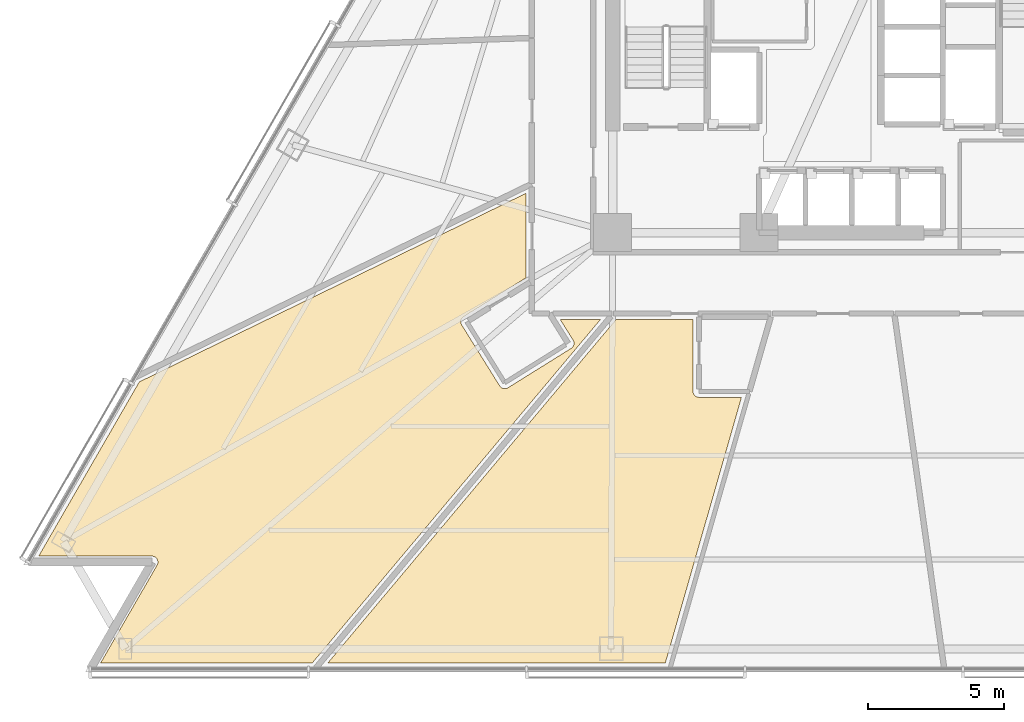
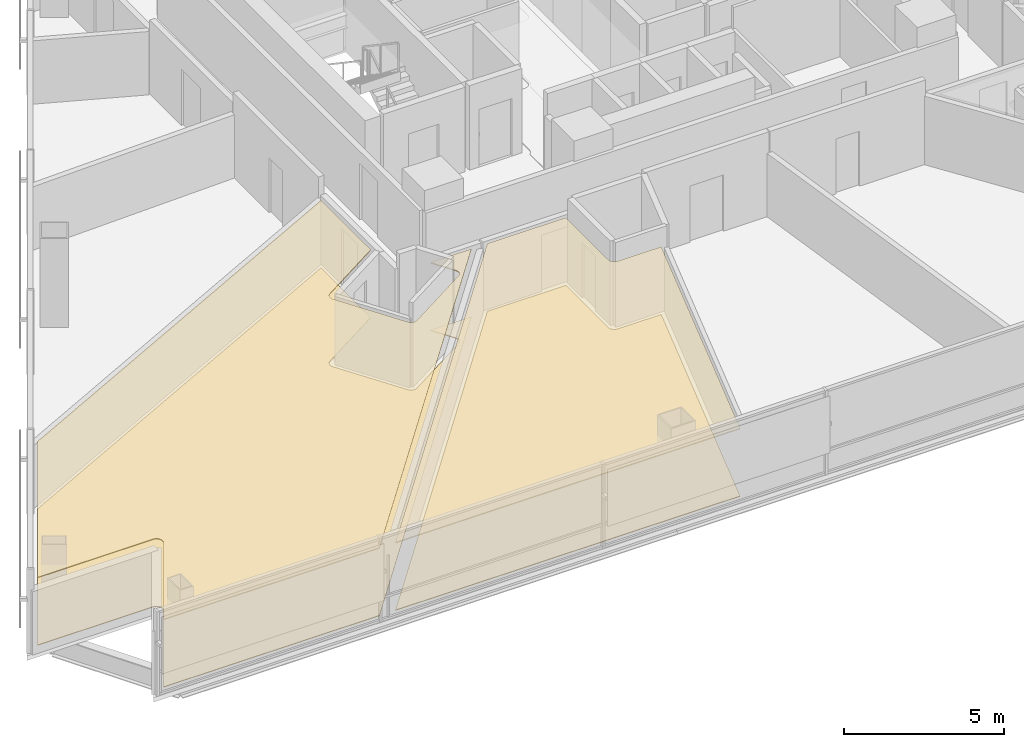
# One storey, part 14 of 17: 4 coverings.
"""IFC4 building model written with IfcOpenShell, lengths in metres."""

from ifc_helpers import new_model, si_unit, direction, frame, origin, place, context, subcontext, project, spatial, polyline, outline, extrude, material, layer, layer_set, type_object, element, save


model = new_model("IFC4")

# Units and contexts
model_context = context("Model", 3, precision=1e-05, world=origin(), true_north=direction((0.0, 1.0)))
body_context = subcontext(model_context, "Body", "Model", "MODEL_VIEW")
ifc_project = project(units=[si_unit("LENGTHUNIT", "METRE"), si_unit("AREAUNIT", "SQUARE_METRE"), si_unit("VOLUMEUNIT", "CUBIC_METRE"), si_unit("PLANEANGLEUNIT", "RADIAN"), si_unit("MASSUNIT", "GRAM", prefix="KILO")], contexts=[model_context])

# Site, building, storey
site_placement = place(None, origin())
site = spatial("IfcSite", under=ifc_project, at=site_placement, CompositionType="ELEMENT")
building_placement = place(site_placement, origin())
building = spatial("IfcBuilding", under=site, at=building_placement, Name="Tharavind Bronze Gate", CompositionType="ELEMENT")
storey_placement = place(building_placement, frame((0.0, 0.0, 35.25)))
storey = spatial("IfcBuildingStorey", under=building, at=storey_placement, Name="L07", CompositionType="ELEMENT", Elevation=35.25)

# Coverings
ifc_material_1 = material(Name="Engineered Oak & Carpet Tile", Category="wood")
ifc_layer_1 = layer(ifc_material_1, 0.02490234375)
ifc_layer_set_1 = layer_set([ifc_layer_1], Name="Engineered Oak & Carpet Tile")
covering_type_1 = type_object("IfcCoveringType", Name="ENGINEERED TIMBER FLOORING", PredefinedType="FLOORING", material=ifc_layer_set_1)
covering_1_placement = place(storey_placement, origin())
element("IfcCovering", 1, at=covering_1_placement, inside=storey, type_object=covering_type_1, Name="L07-RM-09 floor finish", PredefinedType="FLOORING", context=body_context, shape_type="SweptSolid", body=[
    extrude(outline(polyline([(-25.896484375, -19.531005859375), (-25.885498046875, -19.53125), (-25.885009765625, -19.53125), (-25.863037109375, -19.533447265625), (-25.841552734375, -19.53759765625), (-25.820556640625, -19.544189453125), (-25.80029296875, -19.552734375), (-25.781005859375, -19.563232421875), (-25.762939453125, -19.57568359375), (-25.74609375, -19.589599609375), (-25.73095703125, -19.60546875), (-25.71728515625, -19.62255859375), (-25.705322265625, -19.640869140625), (-25.6953125, -19.660400390625), (-25.687255859375, -19.680908203125), (-25.681396484375, -19.701904296875), (-25.677490234375, -19.7236328125), (-25.67578125, -19.745361328125), (-25.676513671875, -19.767333984375), (-25.67919921875, -19.7890625), (-25.68408203125, -19.810546875), (-25.691162109375, -19.831298828125), (-25.7001953125, -19.851318359375), (-25.7001953125, -19.851806640625), (-25.70556640625, -19.861328125), (-27.794677734375, -23.47998046875), (-19.9892578125, -23.47998046875), (-9.349609375, -10.800048828125), (-10.8369140625, -10.800048828125), (-10.361572265625, -11.562255859375), (-10.35107421875, -11.5810546875), (-10.342529296875, -11.600830078125), (-10.3359375, -11.62158203125), (-10.331298828125, -11.642578125), (-10.328857421875, -11.6640625), (-10.328369140625, -11.685546875), (-10.330078125, -11.70703125), (-10.333984375, -11.728515625), (-10.33984375, -11.749267578125), (-10.347900390625, -11.769287109375), (-10.357666015625, -11.78857421875), (-10.369384765625, -11.806640625), (-10.3828125, -11.823486328125), (-10.397705078125, -11.839111328125), (-10.414306640625, -11.85302734375), (-10.431884765625, -11.865478515625), (-12.765625, -13.320068359375), (-12.784423828125, -13.33056640625), (-12.80419921875, -13.339111328125), (-12.82470703125, -13.345947265625), (-12.845947265625, -13.3505859375), (-12.867431640625, -13.352783203125), (-12.888916015625, -13.353271484375), (-12.910400390625, -13.3515625), (-12.931640625, -13.34765625), (-12.952392578125, -13.341796875), (-12.97265625, -13.333984375), (-12.99169921875, -13.32421875), (-13.010009765625, -13.3125), (-13.02685546875, -13.299072265625), (-13.04248046875, -13.283935546875), (-13.056396484375, -13.267578125), (-13.068603515625, -13.249755859375), (-14.470703125, -11.0009765625), (-14.481201171875, -10.982177734375), (-14.48974609375, -10.96240234375), (-14.496337890625, -10.94189453125), (-14.5009765625, -10.920654296875), (-14.50341796875, -10.899169921875), (-14.50390625, -10.877685546875), (-14.501953125, -10.856201171875), (-14.498291015625, -10.8349609375), (-14.4921875, -10.814208984375), (-14.484375, -10.7939453125), (-14.474609375, -10.77490234375), (-14.462890625, -10.756591796875), (-14.449462890625, -10.73974609375), (-14.434326171875, -10.72412109375), (-14.41796875, -10.710205078125), (-14.400390625, -10.697998046875), (-12.10009765625, -9.263916015625), (-12.10009765625, -6.146240234375), (-26.36376953125, -13.103271484375), (-30.07470703125, -19.531005859375), (-25.896484375, -19.531005859375)])), origin(), (0.0, 0.0, 1.0), 0.02490234375),
])
covering_2_placement = place(storey_placement, origin())
element("IfcCovering", 2, at=covering_2_placement, inside=storey, type_object=covering_type_1, Name="L07-RM-10 floor finish", PredefinedType="FLOORING", context=body_context, shape_type="SweptSolid", body=[
    extrude(outline(polyline([(-6.961669921875, -23.47998046875), (-4.148681640625, -13.669921875), (-5.71826171875, -13.669921875), (-5.73974609375, -13.6689453125), (-5.760986328125, -13.665771484375), (-5.781982421875, -13.660400390625), (-5.802490234375, -13.6533203125), (-5.822021484375, -13.64404296875), (-5.84033203125, -13.6328125), (-5.857666015625, -13.6201171875), (-5.873779296875, -13.605712890625), (-5.88818359375, -13.589599609375), (-5.901123046875, -13.572265625), (-5.912109375, -13.5537109375), (-5.92138671875, -13.5341796875), (-5.9287109375, -13.513916015625), (-5.933837890625, -13.492919921875), (-5.93701171875, -13.4716796875), (-5.938232421875, -13.449951171875), (-5.938232421875, -10.800048828125), (-8.775146484375, -10.800048828125), (-19.414794921875, -23.47998046875), (-6.961669921875, -23.47998046875)])), origin(), (0.0, 0.0, 1.0), 0.02490234375),
])
ifc_material_2 = material(Name="Acoustic Gypsum Board", Category="gypsum")
ifc_layer_2 = layer(ifc_material_2, 0.030029296875)
ifc_layer_set_2 = layer_set([ifc_layer_2], Name="Acoustic Gypsum Board")
covering_type_2 = type_object("IfcCoveringType", Name="GYPSUM SUSPENDED CEILING", PredefinedType="CEILING", material=ifc_layer_set_2)
covering_3_placement = place(storey_placement, frame((0.0, 0.0, 2.574951171875)))
element("IfcCovering", 3, at=covering_3_placement, inside=storey, type_object=covering_type_2, Name="L07-RM-09 suspended ceiling", PredefinedType="CEILING", context=body_context, shape_type="SweptSolid", body=[
    extrude(outline(polyline([(-25.896484375, -19.531005859375), (-25.885498046875, -19.53125), (-25.885009765625, -19.53125), (-25.863037109375, -19.533447265625), (-25.841552734375, -19.53759765625), (-25.820556640625, -19.544189453125), (-25.80029296875, -19.552734375), (-25.781005859375, -19.563232421875), (-25.762939453125, -19.57568359375), (-25.74609375, -19.589599609375), (-25.73095703125, -19.60546875), (-25.71728515625, -19.62255859375), (-25.705322265625, -19.640869140625), (-25.6953125, -19.660400390625), (-25.687255859375, -19.680908203125), (-25.681396484375, -19.701904296875), (-25.677490234375, -19.7236328125), (-25.67578125, -19.745361328125), (-25.676513671875, -19.767333984375), (-25.67919921875, -19.7890625), (-25.68408203125, -19.810546875), (-25.691162109375, -19.831298828125), (-25.7001953125, -19.851318359375), (-25.7001953125, -19.851806640625), (-25.70556640625, -19.861328125), (-27.794677734375, -23.47998046875), (-19.9892578125, -23.47998046875), (-9.349609375, -10.800048828125), (-10.8369140625, -10.800048828125), (-10.361572265625, -11.562255859375), (-10.35107421875, -11.5810546875), (-10.342529296875, -11.600830078125), (-10.3359375, -11.62158203125), (-10.331298828125, -11.642578125), (-10.328857421875, -11.6640625), (-10.328369140625, -11.685546875), (-10.330078125, -11.70703125), (-10.333984375, -11.728515625), (-10.33984375, -11.749267578125), (-10.347900390625, -11.769287109375), (-10.357666015625, -11.78857421875), (-10.369384765625, -11.806640625), (-10.3828125, -11.823486328125), (-10.397705078125, -11.839111328125), (-10.414306640625, -11.85302734375), (-10.431884765625, -11.865478515625), (-12.765625, -13.320068359375), (-12.784423828125, -13.33056640625), (-12.80419921875, -13.339111328125), (-12.82470703125, -13.345947265625), (-12.845947265625, -13.3505859375), (-12.867431640625, -13.352783203125), (-12.888916015625, -13.353271484375), (-12.910400390625, -13.3515625), (-12.931640625, -13.34765625), (-12.952392578125, -13.341796875), (-12.97265625, -13.333984375), (-12.99169921875, -13.32421875), (-13.010009765625, -13.3125), (-13.02685546875, -13.299072265625), (-13.04248046875, -13.283935546875), (-13.056396484375, -13.267578125), (-13.068603515625, -13.249755859375), (-14.470703125, -11.0009765625), (-14.481201171875, -10.982177734375), (-14.48974609375, -10.96240234375), (-14.496337890625, -10.94189453125), (-14.5009765625, -10.920654296875), (-14.50341796875, -10.899169921875), (-14.50390625, -10.877685546875), (-14.501953125, -10.856201171875), (-14.498291015625, -10.8349609375), (-14.4921875, -10.814208984375), (-14.484375, -10.7939453125), (-14.474609375, -10.77490234375), (-14.462890625, -10.756591796875), (-14.449462890625, -10.73974609375), (-14.434326171875, -10.72412109375), (-14.41796875, -10.710205078125), (-14.400390625, -10.697998046875), (-12.10009765625, -9.263916015625), (-12.10009765625, -6.146240234375), (-26.36376953125, -13.103271484375), (-30.07470703125, -19.531005859375), (-25.896484375, -19.531005859375)])), origin(), (0.0, 0.0, 1.0), 0.03515625),
])
covering_4_placement = place(storey_placement, frame((0.0, 0.0, 2.574951171875)))
element("IfcCovering", 4, at=covering_4_placement, inside=storey, type_object=covering_type_2, Name="L07-RM-10 suspended ceiling", PredefinedType="CEILING", context=body_context, shape_type="SweptSolid", body=[
    extrude(outline(polyline([(-6.961669921875, -23.47998046875), (-4.148681640625, -13.669921875), (-5.71826171875, -13.669921875), (-5.73974609375, -13.6689453125), (-5.760986328125, -13.665771484375), (-5.781982421875, -13.660400390625), (-5.802490234375, -13.6533203125), (-5.822021484375, -13.64404296875), (-5.84033203125, -13.6328125), (-5.857666015625, -13.6201171875), (-5.873779296875, -13.605712890625), (-5.88818359375, -13.589599609375), (-5.901123046875, -13.572265625), (-5.912109375, -13.5537109375), (-5.92138671875, -13.5341796875), (-5.9287109375, -13.513916015625), (-5.933837890625, -13.492919921875), (-5.93701171875, -13.4716796875), (-5.938232421875, -13.449951171875), (-5.938232421875, -10.800048828125), (-8.775146484375, -10.800048828125), (-19.414794921875, -23.47998046875), (-6.961669921875, -23.47998046875)])), origin(), (0.0, 0.0, 1.0), 0.03515625),
])

save(model, "model.ifc")
